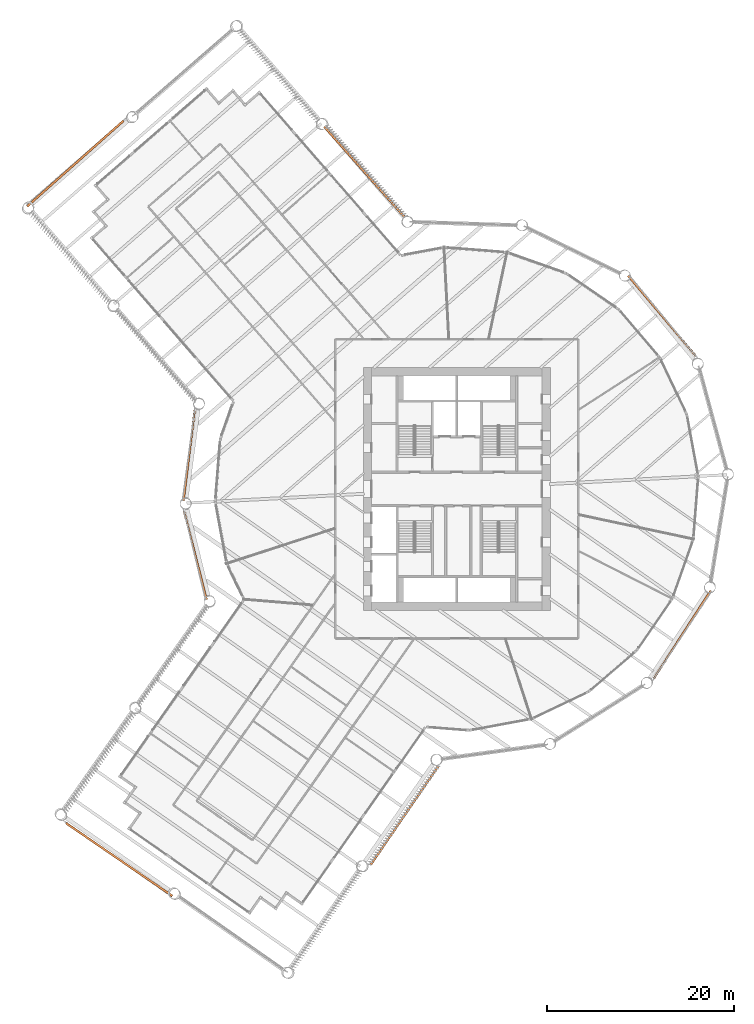
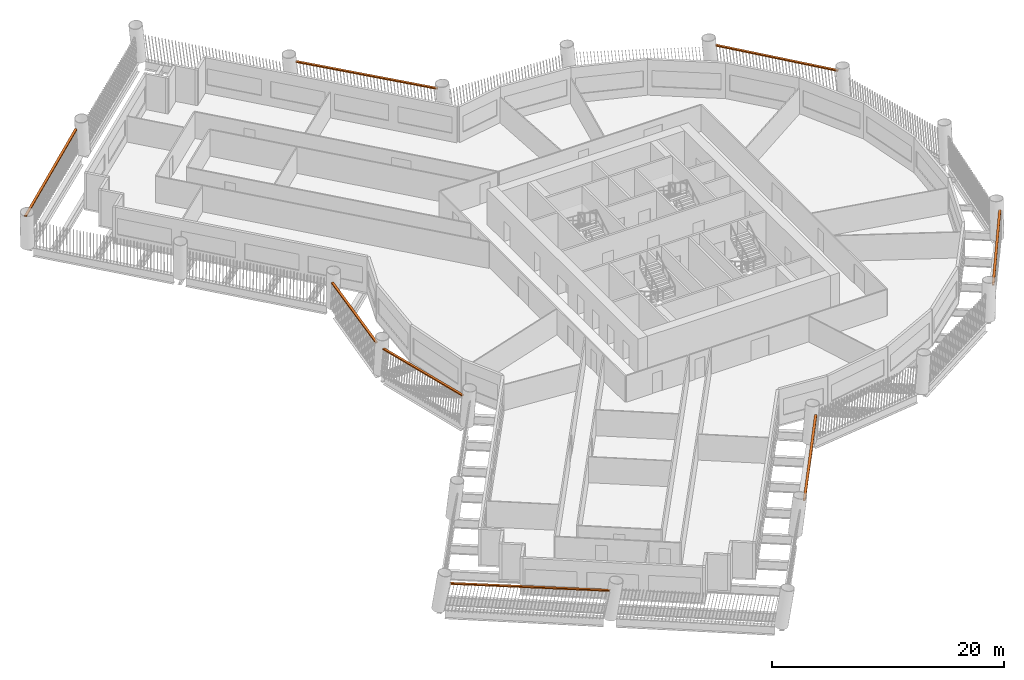
# One storey, part 15 of 15: 8 proxies.
"""IFC4 building model written with IfcOpenShell, lengths in metres."""

import ifcopenshell
import ifcopenshell.guid

model = None  # the IFC model being written
_history = None  # IfcOwnerHistory: only IFC2X3 demands one
_inside = {}  # id of a spatial element -> (the spatial element, [elements in it])
_under = {}  # id of a project, library or spatial element -> (it, [spatial elements below it])
_declared = {}  # id of a project -> (the project, [libraries it declares])
_typed = {}  # id of a type object -> (the type object, [elements of that type])
_made_of = {}  # id of a material, layer set ... -> (it, [elements and type objects made of it])


def new_model(schema):
    """Start an empty IFC model of exactly this schema.

    Asked for "IFC4X3", IfcOpenShell would pick the latest addendum, in which some entities
    have other attributes; the version numbers below select the first issue.
    IFC2X3 requires an IfcOwnerHistory on every rooted entity: one is made here for all.
    """
    global model, _history
    if schema == "IFC4X3":
        model = ifcopenshell.file(schema_version=(4, 3, 0, 0))
    else:
        model = ifcopenshell.file(schema=schema)
    _inside.clear()
    _under.clear()
    _declared.clear()
    _typed.clear()
    _made_of.clear()
    _history = None
    if model.schema == "IFC2X3":
        org = make("IfcOrganization", Name="unknown")
        user = make(
            "IfcPersonAndOrganization",
            ThePerson=make("IfcPerson", FamilyName="unknown"),
            TheOrganization=org,
        )
        app = make(
            "IfcApplication",
            ApplicationDeveloper=org,
            Version="unknown",
            ApplicationFullName="unknown",
            ApplicationIdentifier="unknown",
        )
        _history = make(
            "IfcOwnerHistory",
            OwningUser=user,
            OwningApplication=app,
            ChangeAction="ADDED",
            CreationDate=0,
        )
    return model


def make(cls, **values):
    """One entity of the class cls with the attributes given. An attribute that is None is left unset."""
    return model.create_entity(
        cls, **{name: value for name, value in values.items() if value is not None}
    )


def rooted(cls, **values):
    """An entity with a GlobalId (a new one), such as an element, a storey or a relation."""
    return make(cls, GlobalId=ifcopenshell.guid.new(), OwnerHistory=_history, **values)


def si_unit(unit_type, name, prefix=None):
    """IfcSIUnit, for example si_unit("LENGTHUNIT", "METRE", prefix="MILLI")."""
    return make("IfcSIUnit", UnitType=unit_type, Prefix=prefix, Name=name)


def assignment(units):
    """IfcUnitAssignment: the units of a project."""
    return None if units is None else make("IfcUnitAssignment", Units=units)


def point(xyz):
    """IfcCartesianPoint."""
    return None if xyz is None else make("IfcCartesianPoint", Coordinates=xyz)


def direction(xyz):
    """IfcDirection."""
    return None if xyz is None else make("IfcDirection", DirectionRatios=xyz)


def frame(location, z_axis=None, x_axis=None):
    """IfcAxis2Placement3D, a coordinate frame: its origin and axes. An axis left out is left unset."""
    return make(
        "IfcAxis2Placement3D",
        Location=point(location),
        Axis=direction(z_axis),
        RefDirection=direction(x_axis),
    )


def frame_2d(location, x_axis=None):
    """IfcAxis2Placement2D, a coordinate frame in the plane: its origin and x axis."""
    return make(
        "IfcAxis2Placement2D", Location=point(location), RefDirection=direction(x_axis)
    )


def origin():
    """The frame at (0, 0, 0) with its axes left unset."""
    return frame((0.0, 0.0, 0.0))


def origin_2d():
    """The frame at (0, 0) in the plane with its x axis left unset."""
    return frame_2d((0.0, 0.0))


def place(relative_to, where):
    """IfcLocalPlacement: puts the frame where relative to a parent placement (None: the world)."""
    return make(
        "IfcLocalPlacement", PlacementRelTo=relative_to, RelativePlacement=where
    )


def context(
    kind, dimensions, precision=None, world=None, true_north=None, identifier=None
):
    """IfcGeometricRepresentationContext, for example the 3D "Model" context."""
    return make(
        "IfcGeometricRepresentationContext",
        ContextIdentifier=identifier,
        ContextType=kind,
        CoordinateSpaceDimension=dimensions,
        Precision=precision,
        WorldCoordinateSystem=world,
        TrueNorth=true_north,
    )


def subcontext(parent, identifier, kind, view, scale=None):
    """IfcGeometricRepresentationSubContext, for example "Body" below "Model"."""
    return make(
        "IfcGeometricRepresentationSubContext",
        ContextIdentifier=identifier,
        ContextType=kind,
        ParentContext=parent,
        TargetScale=scale,
        TargetView=view,
    )


def project(units=None, contexts=None):
    """IfcProject with its units and contexts."""
    return rooted(
        "IfcProject",
        Name="project",
        RepresentationContexts=contexts,
        UnitsInContext=assignment(units),
    )


def spatial(cls, under=None, at=None, **own):
    """A site, building, storey or space (cls), placed at a placement, below another one or the project."""
    s = rooted(cls, ObjectPlacement=at, **own)
    if under is not None:
        _under.setdefault(under.id(), (under, []))[1].append(s)
    return s


def profile(cls, at=None, kind="AREA", **sizes):
    """A parametric profile (cls). Its sizes go by their IFC names, for example OverallWidth=200.0."""
    return make(cls, ProfileType=kind, Position=at, **sizes)


def rectangle(**sizes):
    """IfcRectangleProfileDef."""
    return profile("IfcRectangleProfileDef", **sizes)


def extrude(swept, where, along, depth):
    """IfcExtrudedAreaSolid: the profile swept, set in the frame where, extruded along a direction by depth."""
    return make(
        "IfcExtrudedAreaSolid",
        SweptArea=swept,
        Position=where,
        ExtrudedDirection=direction(along),
        Depth=depth,
    )


def shape(context_of_items, identifier, shape_type, items):
    """IfcShapeRepresentation: the items that make up one representation, for example the "Body"."""
    return make(
        "IfcShapeRepresentation",
        ContextOfItems=context_of_items,
        RepresentationIdentifier=identifier,
        RepresentationType=shape_type,
        Items=items,
    )


def material(Name=None, Category=None):
    """IfcMaterial."""
    return make("IfcMaterial", Name=Name, Category=Category)


def made_of(thing, what):
    """Note that an element or type object is made of a material, layer set ...; save() writes the relation."""
    if what is not None:
        _made_of.setdefault(what.id(), (what, []))[1].append(thing)
    return thing


def type_object(cls, material=None, **own):
    """A type object (cls), such as IfcWallType, which elements share."""
    return made_of(rooted(cls, **own), material)


def element(
    cls,
    number,
    at=None,
    inside=None,
    cuts=None,
    type_object=None,
    material=None,
    context=None,
    identifier="Body",
    shape_type=None,
    held_by="IfcProductDefinitionShape",
    body=None,
    shapes=None,
    **own,
):
    """One element of the class cls, such as IfcWall. Its Tag is "e" and its number.

    at: its placement. inside: the storey or other place that contains it. cuts: it is an
    opening in that element (IfcRelVoidsElement). A single representation is given by context,
    identifier, shape_type and body (its items); several are given by shapes. held_by: the class
    of the entity that holds the representations. save() writes the other relations.
    """
    e = rooted(cls, Tag="e%d" % number, ObjectPlacement=at, **own)
    if body is not None:
        shapes = [shape(context, identifier, shape_type, body)]
    if shapes is not None:
        e.Representation = make(held_by, Representations=shapes)
    if inside is not None:
        _inside.setdefault(inside.id(), (inside, []))[1].append(e)
    if cuts is not None:
        rooted(
            "IfcRelVoidsElement", RelatingBuildingElement=cuts, RelatedOpeningElement=e
        )
    if type_object is not None:
        _typed.setdefault(type_object.id(), (type_object, []))[1].append(e)
    return made_of(e, material)


def aggregate(whole, parts):
    """IfcRelAggregates: a whole, such as a stair, and the parts it consists of."""
    return rooted("IfcRelAggregates", RelatingObject=whole, RelatedObjects=parts)


def save(model, path):
    """Write the relations noted so far, then the file.

    IfcRelAggregates (storeys below a building ...), IfcRelContainedInSpatialStructure (elements
    in a storey), IfcRelDefinesByType, IfcRelAssociatesMaterial and IfcRelDeclares: one each for
    every whole, place, type object, material and project.
    """
    for whole, parts in _under.values():
        aggregate(whole, parts)
    for where, things in _inside.values():
        rooted(
            "IfcRelContainedInSpatialStructure",
            RelatedElements=things,
            RelatingStructure=where,
        )
    for kind, things in _typed.values():
        rooted("IfcRelDefinesByType", RelatedObjects=things, RelatingType=kind)
    for what, things in _made_of.values():
        rooted("IfcRelAssociatesMaterial", RelatedObjects=things, RelatingMaterial=what)
    for by, libraries in _declared.values():
        rooted("IfcRelDeclares", RelatingContext=by, RelatedDefinitions=libraries)
    model.write(path)


model = new_model("IFC4")

# Units and contexts
model_context = context("Model", 3, precision=1e-05, world=origin(), true_north=direction((0.0, 1.0)))
body_context = subcontext(model_context, "Body", "Model", "MODEL_VIEW")
ifc_project = project(units=[si_unit("LENGTHUNIT", "METRE"), si_unit("AREAUNIT", "SQUARE_METRE"), si_unit("VOLUMEUNIT", "CUBIC_METRE"), si_unit("PLANEANGLEUNIT", "RADIAN"), si_unit("MASSUNIT", "GRAM", prefix="KILO")], contexts=[model_context])

# Site, building, storey
site_placement = place(None, origin())
site = spatial("IfcSite", under=ifc_project, at=site_placement, CompositionType="ELEMENT")
building_placement = place(site_placement, origin())
building = spatial("IfcBuilding", under=site, at=building_placement, Name="Tarsis Ring Headquarters", CompositionType="ELEMENT")
storey_placement = place(building_placement, frame((0.0, 0.0, 51.699951171875)))
storey = spatial("IfcBuildingStorey", under=building, at=storey_placement, Name="L10", CompositionType="ELEMENT", Elevation=51.699951171875)

# Proxies
ifc_material = material(Name="Structural steel S355", Category="steel")
building_element_proxy_type = type_object("IfcBuildingElementProxyType", Name="Screen bracket plate", PredefinedType="USERDEFINED", material=ifc_material)
proxy_1_placement = place(storey_placement, frame((-27.975830078125, -7.123046875, 2.95263671875), z_axis=(0.0, 0.0, 1.0), x_axis=(0.246744961349, -0.969080452826, 0.0)))
element("IfcBuildingElementProxy", 1, at=proxy_1_placement, inside=storey, type_object=building_element_proxy_type, Name="Screen bracket L10-00", ObjectType="Bracket", PredefinedType="USERDEFINED", context=body_context, shape_type="SweptSolid", body=[
    extrude(rectangle(XDim=9.771728515625, YDim=0.222900390625, at=origin_2d()), origin(), (0.0, 0.0, 1.0), 0.1201171875),
])
proxy_2_placement = place(storey_placement, frame((-36.118896484375, -39.652099609375, 2.95263671875), z_axis=(0.0, 0.0, 1.0), x_axis=(0.825113488418, -0.564967017826, 0.0)))
element("IfcBuildingElementProxy", 2, at=proxy_2_placement, inside=storey, type_object=building_element_proxy_type, Name="Screen bracket L10-03", ObjectType="Bracket", PredefinedType="USERDEFINED", context=body_context, shape_type="SweptSolid", body=[
    extrude(rectangle(XDim=13.800048828125, YDim=0.222900390625, at=origin_2d()), origin(), (0.0, 0.0, 1.0), 0.1201171875),
])
proxy_3_placement = place(storey_placement, frame((-5.570068359375, -34.90380859375, 2.95263671875), z_axis=(0.0, 0.0, 1.0), x_axis=(0.564966989024, 0.825113508139, 0.0)))
element("IfcBuildingElementProxy", 3, at=proxy_3_placement, inside=storey, type_object=building_element_proxy_type, Name="Screen bracket L10-06", ObjectType="Bracket", PredefinedType="USERDEFINED", context=body_context, shape_type="SweptSolid", body=[
    extrude(rectangle(XDim=12.90234375, YDim=0.222900390625, at=origin_2d()), origin(), (0.0, 0.0, 1.0), 0.1201171875),
])
for number, where, z_axis, x_axis, name in (
    (4, (24.109375, -15.605224609375, 2.95263671875), (0.0, 0.0, 1.0), (0.543375752788, 0.839489601652, 0.0), "Screen bracket L10-09"),
    (5, (21.96337890625, 18.50390625, 2.95263671875), (0.0, 0.0, 1.0), (-0.644307045693, 0.764766912772, 0.0), "Screen bracket L10-12"),
):
    element("IfcBuildingElementProxy", number, at=place(storey_placement, frame(where, z_axis=z_axis, x_axis=x_axis)), inside=storey, type_object=building_element_proxy_type, Name=name, ObjectType="Bracket", PredefinedType="USERDEFINED", context=body_context, shape_type="SweptSolid", body=[
        extrude(rectangle(XDim=11.248779296875, YDim=0.222900390625, at=origin_2d()), origin(), (0.0, 0.0, 1.0), 0.1201171875),
    ])
proxy_4_placement = place(storey_placement, frame((-9.90087890625, 33.9306640625, 2.95263671875), z_axis=(0.0, 0.0, 1.0), x_axis=(-0.663926238755, 0.747798067323, 0.0)))
element("IfcBuildingElementProxy", 6, at=proxy_4_placement, inside=storey, type_object=building_element_proxy_type, Name="Screen bracket L10-15", ObjectType="Bracket", PredefinedType="USERDEFINED", context=body_context, shape_type="SweptSolid", body=[
    extrude(rectangle(XDim=12.90234375, YDim=0.222900390625, at=origin_2d()), origin(), (0.0, 0.0, 1.0), 0.1201171875),
])
proxy_5_placement = place(storey_placement, frame((-40.8037109375, 34.812744140625, 2.95263671875), z_axis=(0.0, 0.0, 1.0), x_axis=(-0.747798102086, -0.663926199601, 0.0)))
element("IfcBuildingElementProxy", 7, at=proxy_5_placement, inside=storey, type_object=building_element_proxy_type, Name="Screen bracket L10-18", ObjectType="Bracket", PredefinedType="USERDEFINED", context=body_context, shape_type="SweptSolid", body=[
    extrude(rectangle(XDim=13.800048828125, YDim=0.222900390625, at=origin_2d()), origin(), (0.0, 0.0, 1.0), 0.1201171875),
])
proxy_6_placement = place(storey_placement, frame((-28.64794921875, 3.560791015625, 2.95263671875), z_axis=(0.0, 0.0, 1.0), x_axis=(-0.123341351533, -0.992364303571, 0.0)))
element("IfcBuildingElementProxy", 8, at=proxy_6_placement, inside=storey, type_object=building_element_proxy_type, Name="Screen bracket L10-21", ObjectType="Bracket", PredefinedType="USERDEFINED", context=body_context, shape_type="SweptSolid", body=[
    extrude(rectangle(XDim=9.771728515625, YDim=0.222900390625, at=origin_2d()), origin(), (0.0, 0.0, 1.0), 0.1201171875),
])

save(model, "model.ifc")
